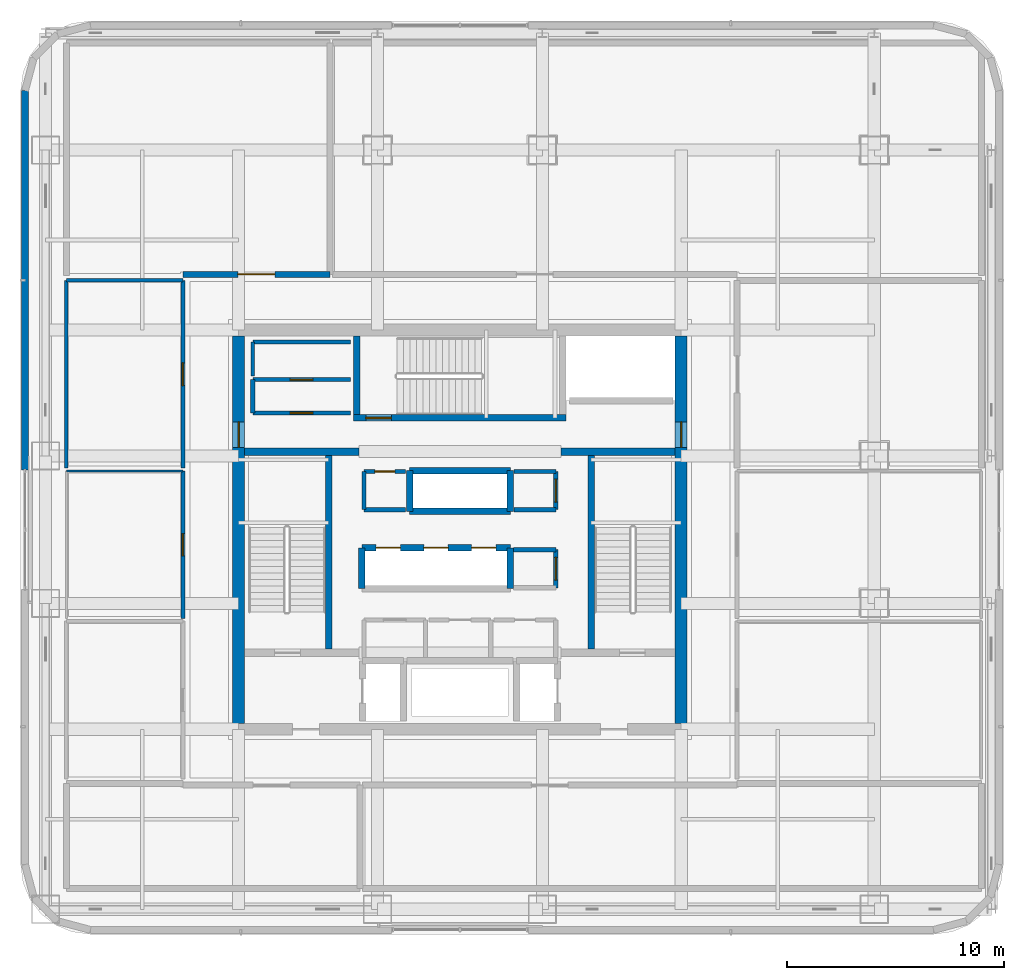
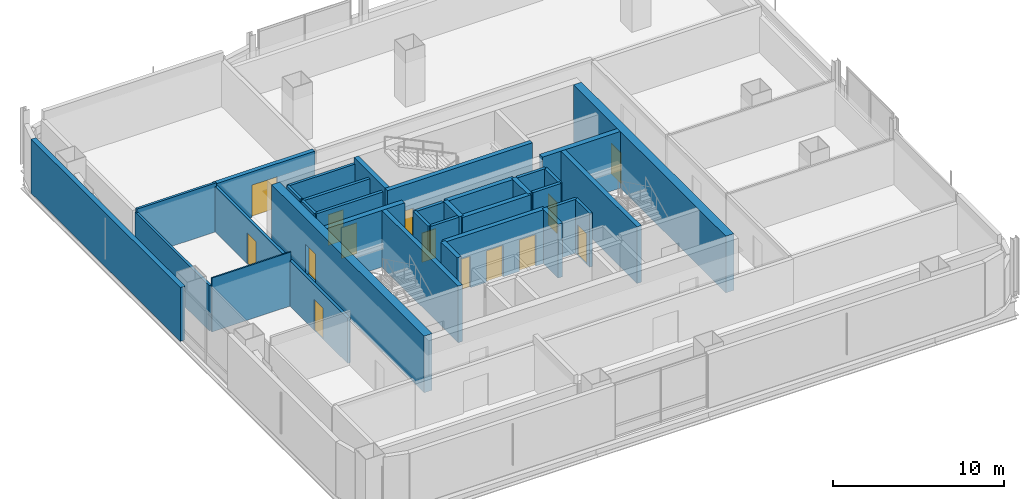
# One storey, part 17 of 30: 35 walls, 14 doors, 14 openings.
"""IFC4 building model written with IfcOpenShell, lengths in metres."""

from ifc_helpers import new_model, si_unit, direction, frame, frame_2d, origin, place, context, subcontext, project, spatial, rectangle, extrude, material, layer, layer_set, type_object, element, fill, save


model = new_model("IFC4")

# Units and contexts
model_context = context("Model", 3, precision=1e-05, world=origin(), true_north=direction((0.0, 1.0)))
body_context = subcontext(model_context, "Body", "Model", "MODEL_VIEW")
ifc_project = project(units=[si_unit("LENGTHUNIT", "METRE"), si_unit("AREAUNIT", "SQUARE_METRE"), si_unit("VOLUMEUNIT", "CUBIC_METRE"), si_unit("PLANEANGLEUNIT", "RADIAN"), si_unit("MASSUNIT", "GRAM", prefix="KILO")], contexts=[model_context])

# Site, building, storey
site_placement = place(None, origin())
site = spatial("IfcSite", under=ifc_project, at=site_placement, CompositionType="ELEMENT")
building_placement = place(site_placement, origin())
building = spatial("IfcBuilding", under=site, at=building_placement, Name="Punatoya Terracotta Tower", CompositionType="ELEMENT")
storey_placement = place(building_placement, frame((0.0, 0.0, 251.39990234375)))
storey = spatial("IfcBuildingStorey", under=building, at=storey_placement, Name="L59", CompositionType="ELEMENT", Elevation=251.39990234375)

# Wall, opening, door
ifc_material_1 = material(Name="Concrete C40/50", Category="concrete")
ifc_layer_1 = layer(ifc_material_1, 0.280029296875)
ifc_layer_set_1 = layer_set([ifc_layer_1], Name="Concrete C40/50")
wall_type_1 = type_object("IfcWallType", Name="WL-AUD-280", PredefinedType="SOLIDWALL", material=ifc_layer_set_1)
wall_1_placement = place(storey_placement, frame((-5.993896484375, 11.77001953125, 0.0), z_axis=(0.0, 0.0, 1.0), x_axis=(-1.0, 0.0, 0.0)))
wall_1 = element("IfcWall", 1, at=wall_1_placement, inside=storey, type_object=wall_type_1, Name="L59 Terrace Refreshment Lounge Partition 51", PredefinedType="SOLIDWALL", context=body_context, shape_type="SweptSolid", body=[
    extrude(rectangle(XDim=6.776123046875, YDim=0.280029296875, at=frame_2d((3.38818359375, 0.0))), origin(), (0.0, 0.0, 1.0), 3.244140625),
])
opening_1_placement = place(wall_1_placement, frame((2.5380859375, 0.0, 0.0)))
opening_1 = element("IfcOpeningElement", 2, at=opening_1_placement, cuts=wall_1, Name="Opening FD-D1", PredefinedType="OPENING", context=body_context, shape_type="SweptSolid", body=[
    extrude(rectangle(XDim=1.699951171875, YDim=2.300048828125, at=frame_2d((0.85009765625, 1.14990234375))), frame((0.0, 0.14990234375, 0.0), z_axis=(0.0, -1.0, 0.0), x_axis=(1.0, 0.0, 0.0)), (0.0, 0.0, 1.0), 0.300048828125),
])
ifc_material_2 = material(Name="Timber Teak Veneer Fire Leaf", Category="wood")
door_type_1 = type_object("IfcDoorType", Name="DR-DIN-1700", OperationType="NOTDEFINED", PredefinedType="DOOR", material=ifc_material_2)
door_1_placement = place(opening_1_placement, origin())
door_1 = element("IfcDoor", 3, at=door_1_placement, inside=storey, type_object=door_type_1, Name="L59 Terrace Refreshment Lounge Fire Door", OperationType="DOUBLE_DOOR_SINGLE_SWING", OverallHeight=2.300048828125, OverallWidth=1.699951171875, PredefinedType="DOOR", context=body_context, shape_type="SweptSolid", body=[
    extrude(rectangle(XDim=1.699951171875, YDim=2.300048828125, at=frame_2d((0.85009765625, 1.14990234375))), frame((0.0, 0.02490234375, 0.0), z_axis=(0.0, -1.0, 0.0), x_axis=(1.0, 0.0, 0.0)), (0.0, 0.0, 1.0), 0.050048828125),
])
fill(opening_1, door_1)

ifc_material_3 = material(Name="Concrete C50/60", Category="concrete")
ifc_layer_2 = layer(ifc_material_3, 0.550048828125)
ifc_layer_set_2 = layer_set([ifc_layer_2], Name="Concrete C50/60")
wall_type_2 = type_object("IfcWallType", Name="WL-COR-550", PredefinedType="SHEAR", material=ifc_layer_set_2)
wall_2_placement = place(storey_placement, frame((-10.199951171875, -8.925048828125, 0.0), z_axis=(0.0, 0.0, 1.0), x_axis=(0.0, 1.0, 0.0)))
wall_2 = element("IfcWall", 4, at=wall_2_placement, inside=storey, type_object=wall_type_2, Name="L59 Core Shear Wall W", PredefinedType="SHEAR", context=body_context, shape_type="SweptSolid", body=[
    extrude(rectangle(XDim=17.85009765625, YDim=0.550048828125, at=frame_2d((8.925048828125, 0.0))), origin(), (0.0, 0.0, 1.0), 4.050048828125),
])
opening_2_placement = place(wall_2_placement, frame((12.715087890625, 0.0, 0.0)))
opening_2 = element("IfcOpeningElement", 5, at=opening_2_placement, cuts=wall_2, Name="Opening SD-01", PredefinedType="OPENING", context=body_context, shape_type="SweptSolid", body=[
    extrude(rectangle(XDim=1.179931640625, YDim=2.199951171875, at=frame_2d((0.58984375, 1.10009765625))), frame((0.0, 0.284912109375, 0.0), z_axis=(0.0, -1.0, 0.0), x_axis=(1.0, 0.0, 0.0)), (0.0, 0.0, 1.0), 0.570068359375),
])
ifc_material_4 = material(Name="Galvanised Steel Pressurized Stair Fire Door", Category="steel")
door_type_2 = type_object("IfcDoorType", Name="DR-STR-1180", OperationType="NOTDEFINED", PredefinedType="DOOR", material=ifc_material_4)
door_2_placement = place(opening_2_placement, origin())
door_2 = element("IfcDoor", 6, at=door_2_placement, inside=storey, type_object=door_type_2, Name="L59 Central Lift Lobby West Fire Door", OperationType="SINGLE_SWING_LEFT", OverallHeight=2.199951171875, OverallWidth=1.179931640625, PredefinedType="DOOR", context=body_context, shape_type="SweptSolid", body=[
    extrude(rectangle(XDim=1.179931640625, YDim=2.199951171875, at=frame_2d((0.58984375, 1.10009765625))), frame((0.0, 0.02490234375, 0.0), z_axis=(0.0, -1.0, 0.0), x_axis=(1.0, 0.0, 0.0)), (0.0, 0.0, 1.0), 0.050048828125),
])
fill(opening_2, door_2)

wall_3_placement = place(storey_placement, frame((10.199951171875, 8.925048828125, 0.0), z_axis=(0.0, 0.0, 1.0), x_axis=(0.0, -1.0, 0.0)))
wall_3 = element("IfcWall", 7, at=wall_3_placement, inside=storey, type_object=wall_type_2, Name="L59 Core Shear Wall E", PredefinedType="SHEAR", context=body_context, shape_type="SweptSolid", body=[
    extrude(rectangle(XDim=17.85009765625, YDim=0.550048828125, at=frame_2d((8.925048828125, 0.0))), origin(), (0.0, 0.0, 1.0), 4.050048828125),
])
opening_3_placement = place(wall_3_placement, frame((3.955078125, 0.0, 0.0)))
opening_3 = element("IfcOpeningElement", 8, at=opening_3_placement, cuts=wall_3, Name="Opening SD-01", PredefinedType="OPENING", context=body_context, shape_type="SweptSolid", body=[
    extrude(rectangle(XDim=1.179931640625, YDim=2.199951171875, at=frame_2d((0.58984375, 1.10009765625))), frame((0.0, 0.284912109375, 0.0), z_axis=(0.0, -1.0, 0.0), x_axis=(1.0, 0.0, 0.0)), (0.0, 0.0, 1.0), 0.570068359375),
])
door_3_placement = place(opening_3_placement, origin())
door_3 = element("IfcDoor", 9, at=door_3_placement, inside=storey, type_object=door_type_2, Name="L59 Central Lift Lobby East Fire Door", OperationType="SINGLE_SWING_RIGHT", OverallHeight=2.199951171875, OverallWidth=1.179931640625, PredefinedType="DOOR", context=body_context, shape_type="SweptSolid", body=[
    extrude(rectangle(XDim=1.179931640625, YDim=2.199951171875, at=frame_2d((0.58984375, 1.10009765625))), frame((0.0, 0.02490234375, 0.0), z_axis=(0.0, -1.0, 0.0), x_axis=(1.0, 0.0, 0.0)), (0.0, 0.0, 1.0), 0.050048828125),
])
fill(opening_3, door_3)

# Walls
ifc_material_5 = material(Name="Gypsum Fireboard + Steel Stud", Category="steel")
ifc_layer_3 = layer(ifc_material_5, 0.179931640625)
ifc_layer_set_3 = layer_set([ifc_layer_3], Name="Gypsum Fireboard + Steel Stud")
wall_type_3 = type_object("IfcWallType", Name="WL-CORR-180", PredefinedType="PARTITIONING", material=ifc_layer_set_3)
wall_4_placement = place(storey_placement, frame((-5.050048828125, 8.64990234375, 0.0), z_axis=(0.0, 0.0, 1.0), x_axis=(-1.0, 0.0, 0.0)))
element("IfcWall", 10, at=wall_4_placement, inside=storey, type_object=wall_type_3, Name="L59 West Core Copy Room Partition 20", PredefinedType="PARTITIONING", context=body_context, shape_type="SweptSolid", body=[
    extrude(rectangle(XDim=4.5, YDim=0.179931640625, at=frame_2d((2.25, 0.0))), origin(), (0.0, 0.0, 1.0), 3.85009765625),
])
wall_5_placement = place(storey_placement, frame((-9.550048828125, 8.64990234375, 0.0), z_axis=(0.0, 0.0, 1.0), x_axis=(0.0, -1.0, 0.0)))
element("IfcWall", 11, at=wall_5_placement, inside=storey, type_object=wall_type_3, Name="L59 West Core Copy Room Partition 21", PredefinedType="PARTITIONING", context=body_context, shape_type="SweptSolid", body=[
    extrude(rectangle(XDim=1.56982421875, YDim=0.179931640625, at=frame_2d((0.784912109375, 0.0))), origin(), (0.0, 0.0, 1.0), 3.85009765625),
])

# Wall, opening, door
wall_6_placement = place(storey_placement, frame((-12.77001953125, 2.7119140625, 0.0), z_axis=(0.0, 0.0, 1.0), x_axis=(0.0, -1.0, 0.0)))
wall_6 = element("IfcWall", 12, at=wall_6_placement, inside=storey, type_object=wall_type_3, Name="L59 Private Dining Boardroom Partition 38", PredefinedType="PARTITIONING", context=body_context, shape_type="SweptSolid", body=[
    extrude(rectangle(XDim=6.809814453125, YDim=0.179931640625, at=frame_2d((3.40478515625, 0.0))), origin(), (0.0, 0.0, 1.0), 3.244140625),
])
opening_4_placement = place(wall_6_placement, frame((2.89501953125, 0.0, 0.0)))
opening_4 = element("IfcOpeningElement", 13, at=opening_4_placement, cuts=wall_6, Name="Opening MD-01", PredefinedType="OPENING", context=body_context, shape_type="SweptSolid", body=[
    extrude(rectangle(XDim=1.02001953125, YDim=2.199951171875, at=frame_2d((0.510009765625, 1.10009765625))), frame((0.0, 0.099853515625, 0.0), z_axis=(0.0, -1.0, 0.0), x_axis=(1.0, 0.0, 0.0)), (0.0, 0.0, 1.0), 0.199951171875),
])
ifc_material_6 = material(Name="Aluminium + Acoustic Glass Leaf", Category="aluminium")
door_type_3 = type_object("IfcDoorType", Name="DR-MTG-1020", OperationType="NOTDEFINED", PredefinedType="DOOR", material=ifc_material_6)
door_4_placement = place(opening_4_placement, origin())
door_4 = element("IfcDoor", 14, at=door_4_placement, inside=storey, type_object=door_type_3, Name="L59 Private Dining Boardroom Door", OperationType="SINGLE_SWING_RIGHT", OverallHeight=2.199951171875, OverallWidth=1.02001953125, PredefinedType="DOOR", context=body_context, shape_type="SweptSolid", body=[
    extrude(rectangle(XDim=1.02001953125, YDim=2.199951171875, at=frame_2d((0.510009765625, 1.10009765625))), frame((0.0, 0.02490234375, 0.0), z_axis=(0.0, -1.0, 0.0), x_axis=(1.0, 0.0, 0.0)), (0.0, 0.0, 1.0), 0.050048828125),
])
fill(opening_4, door_4)

wall_7_placement = place(storey_placement, frame((-12.77001953125, 11.489990234375, 0.0), z_axis=(0.0, 0.0, 1.0), x_axis=(0.0, -1.0, 0.0)))
wall_7 = element("IfcWall", 15, at=wall_7_placement, inside=storey, type_object=wall_type_3, Name="L59 Barista Espresso Pantry Partition 44", PredefinedType="PARTITIONING", context=body_context, shape_type="SweptSolid", body=[
    extrude(rectangle(XDim=8.657958984375, YDim=0.179931640625, at=frame_2d((4.3291015625, 0.0))), origin(), (0.0, 0.0, 1.0), 3.244140625),
])
opening_5_placement = place(wall_7_placement, frame((3.803955078125, 0.0, 0.0)))
opening_5 = element("IfcOpeningElement", 16, at=opening_5_placement, cuts=wall_7, Name="Opening OD-01", PredefinedType="OPENING", context=body_context, shape_type="SweptSolid", body=[
    extrude(rectangle(XDim=1.050048828125, YDim=2.199951171875, at=frame_2d((0.52490234375, 1.10009765625))), frame((0.0, 0.099853515625, 0.0), z_axis=(0.0, -1.0, 0.0), x_axis=(1.0, 0.0, 0.0)), (0.0, 0.0, 1.0), 0.199951171875),
])
ifc_material_7 = material(Name="Bengal Teak Solid-Core Leaf")
door_type_4 = type_object("IfcDoorType", Name="DR-OFF-1050", OperationType="NOTDEFINED", PredefinedType="DOOR", material=ifc_material_7)
door_5_placement = place(opening_5_placement, origin())
door_5 = element("IfcDoor", 17, at=door_5_placement, inside=storey, type_object=door_type_4, Name="L59 Barista Espresso Pantry Door", OperationType="SINGLE_SWING_RIGHT", OverallHeight=2.199951171875, OverallWidth=1.050048828125, PredefinedType="DOOR", context=body_context, shape_type="SweptSolid", body=[
    extrude(rectangle(XDim=1.050048828125, YDim=2.199951171875, at=frame_2d((0.52490234375, 1.10009765625))), frame((0.0, 0.02490234375, 0.0), z_axis=(0.0, -1.0, 0.0), x_axis=(1.0, 0.0, 0.0)), (0.0, 0.0, 1.0), 0.050048828125),
])
fill(opening_5, door_5)

# Walls
ifc_material_8 = material(Name="Precast concrete C40/50", Category="concrete")
ifc_layer_4 = layer(ifc_material_8, 0.320068359375)
ifc_layer_set_4 = layer_set([ifc_layer_4], Name="Precast concrete C40/50")
wall_type_4 = type_object("IfcWallType", Name="WL-EXT-320", PredefinedType="SOLIDWALL", material=ifc_layer_set_4)
wall_8_placement = place(storey_placement, frame((-20.050048828125, 20.23681640625, 0.0), z_axis=(0.0, 0.0, 1.0), x_axis=(0.0, -1.0, 0.0)))
element("IfcWall", 18, at=wall_8_placement, inside=storey, type_object=wall_type_4, Name="L59 Terracotta Braced Facade Wall W1", PredefinedType="SOLIDWALL", context=body_context, shape_type="SweptSolid", body=[
    extrude(rectangle(XDim=17.48681640625, YDim=0.320068359375, at=frame_2d((8.743408203125, 0.0))), origin(), (0.0, 0.0, 1.0), 3.85009765625),
])
ifc_material_9 = material(Name="Aluminium Framed Acoustic Glass Partition", Category="aluminium")
ifc_layer_5 = layer(ifc_material_9, 0.10009765625)
ifc_layer_set_5 = layer_set([ifc_layer_5], Name="Aluminium Framed Acoustic Glass Partition")
wall_type_5 = type_object("IfcWallType", Name="WL-GLZ-100", PredefinedType="PARTITIONING", material=ifc_layer_set_5)
wall_9_placement = place(storey_placement, frame((-18.139892578125, 2.7119140625, 0.0), z_axis=(0.0, 0.0, 1.0), x_axis=(1.0, 0.0, 0.0)))
element("IfcWall", 19, at=wall_9_placement, inside=storey, type_object=wall_type_5, Name="L59 Private Dining Boardroom Partition 37", PredefinedType="PARTITIONING", context=body_context, shape_type="SweptSolid", body=[
    extrude(rectangle(XDim=5.369873046875, YDim=0.10009765625, at=frame_2d((2.68505859375, 0.0))), origin(), (0.0, 0.0, 1.0), 3.85009765625),
])

# Wall, opening, door
ifc_layer_6 = layer(ifc_material_1, 0.199951171875)
ifc_layer_set_6 = layer_set([ifc_layer_6], Name="Concrete C40/50")
wall_type_6 = type_object("IfcWallType", Name="WL-INT-200", PredefinedType="SOLIDWALL", material=ifc_layer_set_6)
wall_10_placement = place(storey_placement, frame((4.419921875, -2.679931640625, 0.0), z_axis=(0.0, 0.0, 1.0), x_axis=(0.0, 1.0, 0.0)))
wall_10 = element("IfcWall", 20, at=wall_10_placement, inside=storey, type_object=wall_type_6, Name="L59 East Core Tea Pantry Partition 08", PredefinedType="SOLIDWALL", context=body_context, shape_type="SweptSolid", body=[
    extrude(rectangle(XDim=1.760009765625, YDim=0.199951171875, at=frame_2d((0.8798828125, 0.0))), origin(), (0.0, 0.0, 1.0), 3.85009765625),
])
opening_6_placement = place(wall_10_placement, frame((0.35498046875, 0.0, 0.0)))
opening_6 = element("IfcOpeningElement", 21, at=opening_6_placement, cuts=wall_10, Name="Opening OD-01", PredefinedType="OPENING", context=body_context, shape_type="SweptSolid", body=[
    extrude(rectangle(XDim=1.050048828125, YDim=2.199951171875, at=frame_2d((0.52490234375, 1.10009765625))), frame((0.0, 0.10986328125, 0.0), z_axis=(0.0, -1.0, 0.0), x_axis=(1.0, 0.0, 0.0)), (0.0, 0.0, 1.0), 0.219970703125),
])
door_6_placement = place(opening_6_placement, origin())
door_6 = element("IfcDoor", 22, at=door_6_placement, inside=storey, type_object=door_type_4, Name="L59 East Tea Pantry Door", OperationType="SINGLE_SWING_LEFT", OverallHeight=2.199951171875, OverallWidth=1.050048828125, PredefinedType="DOOR", context=body_context, shape_type="SweptSolid", body=[
    extrude(rectangle(XDim=1.050048828125, YDim=2.199951171875, at=frame_2d((0.52490234375, 1.10009765625))), frame((0.0, 0.02490234375, 0.0), z_axis=(0.0, -1.0, 0.0), x_axis=(1.0, 0.0, 0.0)), (0.0, 0.0, 1.0), 0.050048828125),
])
fill(opening_6, door_6)

# Wall
wall_11_placement = place(storey_placement, frame((4.419921875, -0.919921875, 0.0), z_axis=(0.0, 0.0, 1.0), x_axis=(-1.0, 0.0, 0.0)))
element("IfcWall", 23, at=wall_11_placement, inside=storey, type_object=wall_type_6, Name="L59 East Core Tea Pantry Partition 09", PredefinedType="SOLIDWALL", context=body_context, shape_type="SweptSolid", body=[
    extrude(rectangle(XDim=1.93994140625, YDim=0.199951171875, at=frame_2d((0.969970703125, 0.0))), origin(), (0.0, 0.0, 1.0), 3.85009765625),
])

# Wall, opening, door
wall_12_placement = place(storey_placement, frame((-2.5, 2.679931640625, 0.0), z_axis=(0.0, 0.0, 1.0), x_axis=(-1.0, 0.0, 0.0)))
wall_12 = element("IfcWall", 24, at=wall_12_placement, inside=storey, type_object=wall_type_6, Name="L59 Core Security Equipment Closet Partition 11", PredefinedType="SOLIDWALL", context=body_context, shape_type="SweptSolid", body=[
    extrude(rectangle(XDim=1.919921875, YDim=0.199951171875, at=frame_2d((0.9599609375, 0.0))), origin(), (0.0, 0.0, 1.0), 3.85009765625),
])
opening_7_placement = place(wall_12_placement, frame((0.5, 0.0, 0.0)))
opening_7 = element("IfcOpeningElement", 25, at=opening_7_placement, cuts=wall_12, Name="Opening FD-R1", PredefinedType="OPENING", context=body_context, shape_type="SweptSolid", body=[
    extrude(rectangle(XDim=0.919921875, YDim=2.10009765625, at=frame_2d((0.4599609375, 1.050048828125))), frame((0.0, 0.10986328125, 0.0), z_axis=(0.0, -1.0, 0.0), x_axis=(1.0, 0.0, 0.0)), (0.0, 0.0, 1.0), 0.219970703125),
])
ifc_material_10 = material(Name="Galvanised Steel Riser Fire Access Door", Category="steel")
door_type_5 = type_object("IfcDoorType", Name="DR-RSR-920", OperationType="NOTDEFINED", PredefinedType="DOOR", material=ifc_material_10)
door_7_placement = place(opening_7_placement, origin())
door_7 = element("IfcDoor", 26, at=door_7_placement, inside=storey, type_object=door_type_5, Name="L59 Core Security Equipment Closet Fire Door", OperationType="SINGLE_SWING_RIGHT", OverallHeight=2.10009765625, OverallWidth=0.919921875, PredefinedType="DOOR", context=body_context, shape_type="SweptSolid", body=[
    extrude(rectangle(XDim=0.919921875, YDim=2.10009765625, at=frame_2d((0.4599609375, 1.050048828125))), frame((0.0, 0.02490234375, 0.0), z_axis=(0.0, -1.0, 0.0), x_axis=(1.0, 0.0, 0.0)), (0.0, 0.0, 1.0), 0.050048828125),
])
fill(opening_7, door_7)

# Walls
wall_13_placement = place(storey_placement, frame((-4.419921875, 2.679931640625, 0.0), z_axis=(0.0, 0.0, 1.0), x_axis=(0.0, -1.0, 0.0)))
element("IfcWall", 27, at=wall_13_placement, inside=storey, type_object=wall_type_6, Name="L59 Core Security Equipment Closet Partition 12", PredefinedType="SOLIDWALL", context=body_context, shape_type="SweptSolid", body=[
    extrude(rectangle(XDim=1.760009765625, YDim=0.199951171875, at=frame_2d((0.8798828125, 0.0))), origin(), (0.0, 0.0, 1.0), 3.85009765625),
])
wall_14_placement = place(storey_placement, frame((-4.419921875, 0.919921875, 0.0), z_axis=(0.0, 0.0, 1.0), x_axis=(1.0, 0.0, 0.0)))
element("IfcWall", 28, at=wall_14_placement, inside=storey, type_object=wall_type_6, Name="L59 Core Security Equipment Closet Partition 13", PredefinedType="SOLIDWALL", context=body_context, shape_type="SweptSolid", body=[
    extrude(rectangle(XDim=1.919921875, YDim=0.199951171875, at=frame_2d((0.9599609375, 0.0))), origin(), (0.0, 0.0, 1.0), 3.85009765625),
])

# Wall, opening, door
wall_15_placement = place(storey_placement, frame((4.419921875, 0.919921875, 0.0), z_axis=(0.0, 0.0, 1.0), x_axis=(0.0, 1.0, 0.0)))
wall_15 = element("IfcWall", 29, at=wall_15_placement, inside=storey, type_object=wall_type_6, Name="L59 Executive Steward Pantry Partition 14", PredefinedType="SOLIDWALL", context=body_context, shape_type="SweptSolid", body=[
    extrude(rectangle(XDim=1.760009765625, YDim=0.199951171875, at=frame_2d((0.8798828125, 0.0))), origin(), (0.0, 0.0, 1.0), 3.85009765625),
])
opening_8_placement = place(wall_15_placement, frame((0.35498046875, 0.0, 0.0)))
opening_8 = element("IfcOpeningElement", 30, at=opening_8_placement, cuts=wall_15, Name="Opening OD-01", PredefinedType="OPENING", context=body_context, shape_type="SweptSolid", body=[
    extrude(rectangle(XDim=1.050048828125, YDim=2.199951171875, at=frame_2d((0.52490234375, 1.10009765625))), frame((0.0, 0.10986328125, 0.0), z_axis=(0.0, -1.0, 0.0), x_axis=(1.0, 0.0, 0.0)), (0.0, 0.0, 1.0), 0.219970703125),
])
door_8_placement = place(opening_8_placement, origin())
door_8 = element("IfcDoor", 31, at=door_8_placement, inside=storey, type_object=door_type_4, Name="L59 Executive Steward Pantry Door", OperationType="SINGLE_SWING_LEFT", OverallHeight=2.199951171875, OverallWidth=1.050048828125, PredefinedType="DOOR", context=body_context, shape_type="SweptSolid", body=[
    extrude(rectangle(XDim=1.050048828125, YDim=2.199951171875, at=frame_2d((0.52490234375, 1.10009765625))), frame((0.0, 0.02490234375, 0.0), z_axis=(0.0, -1.0, 0.0), x_axis=(1.0, 0.0, 0.0)), (0.0, 0.0, 1.0), 0.050048828125),
])
fill(opening_8, door_8)

# Walls
for number, where, z_axis, x_axis, name in (
    (32, (4.419921875, 2.679931640625, 0.0), (0.0, 0.0, 1.0), (-1.0, 0.0, 0.0), "L59 Executive Steward Pantry Partition 15"),
    (33, (2.5, 0.919921875, 0.0), (0.0, 0.0, 1.0), (1.0, 0.0, 0.0), "L59 Executive Steward Pantry Partition 16"),
):
    element("IfcWall", number, at=place(storey_placement, frame(where, z_axis=z_axis, x_axis=x_axis)), inside=storey, type_object=wall_type_6, Name=name, PredefinedType="SOLIDWALL", context=body_context, shape_type="SweptSolid", body=[
        extrude(rectangle(XDim=1.919921875, YDim=0.199951171875, at=frame_2d((0.9599609375, 0.0))), origin(), (0.0, 0.0, 1.0), 3.85009765625),
    ])

# Wall, opening, door
wall_16_placement = place(storey_placement, frame((-5.050048828125, 6.919921875, 0.0), z_axis=(0.0, 0.0, 1.0), x_axis=(-1.0, 0.0, 0.0)))
wall_16 = element("IfcWall", 34, at=wall_16_placement, inside=storey, type_object=wall_type_6, Name="L59 West Core Tea Pantry Partition 17", PredefinedType="SOLIDWALL", context=body_context, shape_type="SweptSolid", body=[
    extrude(rectangle(XDim=4.5, YDim=0.199951171875, at=frame_2d((2.25, 0.0))), origin(), (0.0, 0.0, 1.0), 3.85009765625),
])
opening_9_placement = place(wall_16_placement, frame((1.72509765625, 0.0, 0.0)))
opening_9 = element("IfcOpeningElement", 35, at=opening_9_placement, cuts=wall_16, Name="Opening OD-01", PredefinedType="OPENING", context=body_context, shape_type="SweptSolid", body=[
    extrude(rectangle(XDim=1.050048828125, YDim=2.199951171875, at=frame_2d((0.52490234375, 1.10009765625))), frame((0.0, 0.10986328125, 0.0), z_axis=(0.0, -1.0, 0.0), x_axis=(1.0, 0.0, 0.0)), (0.0, 0.0, 1.0), 0.219970703125),
])
door_9_placement = place(opening_9_placement, origin())
door_9 = element("IfcDoor", 36, at=door_9_placement, inside=storey, type_object=door_type_4, Name="L59 West Copy Room Door", OperationType="SINGLE_SWING_LEFT", OverallHeight=2.199951171875, OverallWidth=1.050048828125, PredefinedType="DOOR", context=body_context, shape_type="SweptSolid", body=[
    extrude(rectangle(XDim=1.050048828125, YDim=2.199951171875, at=frame_2d((0.52490234375, 1.10009765625))), frame((0.0, 0.02490234375, 0.0), z_axis=(0.0, -1.0, 0.0), x_axis=(1.0, 0.0, 0.0)), (0.0, 0.0, 1.0), 0.050048828125),
])
fill(opening_9, door_9)

# Wall
wall_17_placement = place(storey_placement, frame((-9.550048828125, 6.919921875, 0.0), z_axis=(0.0, 0.0, 1.0), x_axis=(0.0, -1.0, 0.0)))
element("IfcWall", 37, at=wall_17_placement, inside=storey, type_object=wall_type_6, Name="L59 West Core Tea Pantry Partition 18", PredefinedType="SOLIDWALL", context=body_context, shape_type="SweptSolid", body=[
    extrude(rectangle(XDim=1.5400390625, YDim=0.199951171875, at=frame_2d((0.77001953125, 0.0))), origin(), (0.0, 0.0, 1.0), 3.85009765625),
])

# Wall, opening, door
wall_18_placement = place(storey_placement, frame((-9.550048828125, 5.3798828125, 0.0), z_axis=(0.0, 0.0, 1.0), x_axis=(1.0, 0.0, 0.0)))
wall_18 = element("IfcWall", 38, at=wall_18_placement, inside=storey, type_object=wall_type_6, Name="L59 West Core Tea Pantry Partition 19", PredefinedType="SOLIDWALL", context=body_context, shape_type="SweptSolid", body=[
    extrude(rectangle(XDim=4.5, YDim=0.199951171875, at=frame_2d((2.25, 0.0))), origin(), (0.0, 0.0, 1.0), 3.85009765625),
])
opening_10_placement = place(wall_18_placement, frame((1.72509765625, 0.0, 0.0)))
opening_10 = element("IfcOpeningElement", 39, at=opening_10_placement, cuts=wall_18, Name="Opening OD-01", PredefinedType="OPENING", context=body_context, shape_type="SweptSolid", body=[
    extrude(rectangle(XDim=1.050048828125, YDim=2.199951171875, at=frame_2d((0.52490234375, 1.10009765625))), frame((0.0, 0.10986328125, 0.0), z_axis=(0.0, -1.0, 0.0), x_axis=(1.0, 0.0, 0.0)), (0.0, 0.0, 1.0), 0.219970703125),
])
door_10_placement = place(opening_10_placement, origin())
door_10 = element("IfcDoor", 40, at=door_10_placement, inside=storey, type_object=door_type_4, Name="L59 West Tea Pantry Door", OperationType="SINGLE_SWING_RIGHT", OverallHeight=2.199951171875, OverallWidth=1.050048828125, PredefinedType="DOOR", context=body_context, shape_type="SweptSolid", body=[
    extrude(rectangle(XDim=1.050048828125, YDim=2.199951171875, at=frame_2d((0.52490234375, 1.10009765625))), frame((0.0, 0.02490234375, 0.0), z_axis=(0.0, -1.0, 0.0), x_axis=(1.0, 0.0, 0.0)), (0.0, 0.0, 1.0), 0.050048828125),
])
fill(opening_10, door_10)

# Walls
ifc_layer_7 = layer(ifc_material_1, 0.300048828125)
ifc_layer_set_7 = layer_set([ifc_layer_7], Name="Concrete C40/50")
wall_type_7 = type_object("IfcWallType", Name="WL-SHF-300", PredefinedType="SOLIDWALL", material=ifc_layer_set_7)
for number, where, z_axis, x_axis, name in (
    (41, (-6.050048828125, -5.5, 0.0), (0.0, 0.0, 1.0), (0.0, 1.0, 0.0), "L59 Structural Stair Shaft Wall SW-ST1-E"),
    (42, (6.050048828125, 3.449951171875, 0.0), (0.0, 0.0, 1.0), (0.0, -1.0, 0.0), "L59 Structural Stair Shaft Wall SW-ST2-W"),
):
    element("IfcWall", number, at=place(storey_placement, frame(where, z_axis=z_axis, x_axis=x_axis)), inside=storey, type_object=wall_type_7, Name=name, PredefinedType="SOLIDWALL", context=body_context, shape_type="SweptSolid", body=[
        extrude(rectangle(XDim=8.949951171875, YDim=0.300048828125, at=frame_2d((4.47509765625, 0.0))), origin(), (0.0, 0.0, 1.0), 4.050048828125),
    ])
wall_19_placement = place(storey_placement, frame((-4.75, 5.300048828125, 0.0), z_axis=(0.0, 0.0, 1.0), x_axis=(0.0, 1.0, 0.0)))
element("IfcWall", 43, at=wall_19_placement, inside=storey, type_object=wall_type_7, Name="L59 Structural Stair Shaft Wall SW-ST3-W", PredefinedType="SOLIDWALL", context=body_context, shape_type="SweptSolid", body=[
    extrude(rectangle(XDim=3.625, YDim=0.300048828125, at=frame_2d((1.8125, 0.0))), origin(), (0.0, 0.0, 1.0), 4.050048828125),
])

# Wall, opening, door
wall_20_placement = place(storey_placement, frame((-4.89990234375, 5.14990234375, 0.0), z_axis=(0.0, 0.0, 1.0), x_axis=(1.0, 0.0, 0.0)))
wall_20 = element("IfcWall", 44, at=wall_20_placement, inside=storey, type_object=wall_type_7, Name="L59 Structural Stair Shaft Wall SW-ST3-S", PredefinedType="SOLIDWALL", context=body_context, shape_type="SweptSolid", body=[
    extrude(rectangle(XDim=9.7998046875, YDim=0.300048828125, at=frame_2d((4.89990234375, 0.0))), origin(), (0.0, 0.0, 1.0), 4.050048828125),
])
opening_11_placement = place(wall_20_placement, frame((0.56005859375, 0.0, 0.0)))
opening_11 = element("IfcOpeningElement", 45, at=opening_11_placement, cuts=wall_20, Name="Opening SD-01", PredefinedType="OPENING", context=body_context, shape_type="SweptSolid", body=[
    extrude(rectangle(XDim=1.179931640625, YDim=2.199951171875, at=frame_2d((0.58984375, 1.10009765625))), frame((0.0, 0.159912109375, 0.0), z_axis=(0.0, -1.0, 0.0), x_axis=(1.0, 0.0, 0.0)), (0.0, 0.0, 1.0), 0.320068359375),
])
door_11_placement = place(opening_11_placement, origin())
door_11 = element("IfcDoor", 46, at=door_11_placement, inside=storey, type_object=door_type_2, Name="L59 Stair ST-3 Core Lobby Fire Door", OperationType="SINGLE_SWING_LEFT", OverallHeight=2.199951171875, OverallWidth=1.179931640625, PredefinedType="DOOR", context=body_context, shape_type="SweptSolid", body=[
    extrude(rectangle(XDim=1.179931640625, YDim=2.199951171875, at=frame_2d((0.58984375, 1.10009765625))), frame((0.0, 0.02490234375, 0.0), z_axis=(0.0, -1.0, 0.0), x_axis=(1.0, 0.0, 0.0)), (0.0, 0.0, 1.0), 0.050048828125),
])
fill(opening_11, door_11)

# Wall, openings, doors
wall_21_placement = place(storey_placement, frame((-4.52001953125, -0.840087890625, 0.0), z_axis=(0.0, 0.0, 1.0), x_axis=(1.0, 0.0, 0.0)))
wall_21 = element("IfcWall", 47, at=wall_21_placement, inside=storey, type_object=wall_type_7, Name="L59 South Lift Bank Front Shaft Wall", PredefinedType="SOLIDWALL", context=body_context, shape_type="SweptSolid", body=[
    extrude(rectangle(XDim=6.840087890625, YDim=0.300048828125, at=frame_2d((3.419921875, 0.0))), origin(), (0.0, 0.0, 1.0), 3.85009765625),
])
opening_12_placement = place(wall_21_placement, frame((0.659912109375, 0.0, 0.0)))
opening_12 = element("IfcOpeningElement", 48, at=opening_12_placement, cuts=wall_21, Name="Opening LD-02", PredefinedType="OPENING", context=body_context, shape_type="SweptSolid", body=[
    extrude(rectangle(XDim=1.1201171875, YDim=2.25, at=frame_2d((0.56005859375, 1.125))), frame((0.0, 0.159912109375, 0.0), z_axis=(0.0, -1.0, 0.0), x_axis=(1.0, 0.0, 0.0)), (0.0, 0.0, 1.0), 0.320068359375),
])
opening_13_placement = place(wall_21_placement, frame((2.860107421875, 0.0, 0.0)))
opening_13 = element("IfcOpeningElement", 49, at=opening_13_placement, cuts=wall_21, Name="Opening LD-02", PredefinedType="OPENING", context=body_context, shape_type="SweptSolid", body=[
    extrude(rectangle(XDim=1.1201171875, YDim=2.25, at=frame_2d((0.56005859375, 1.125))), frame((0.0, 0.159912109375, 0.0), z_axis=(0.0, -1.0, 0.0), x_axis=(1.0, 0.0, 0.0)), (0.0, 0.0, 1.0), 0.320068359375),
])
opening_14_placement = place(wall_21_placement, frame((5.06005859375, 0.0, 0.0)))
opening_14 = element("IfcOpeningElement", 50, at=opening_14_placement, cuts=wall_21, Name="Opening LD-02", PredefinedType="OPENING", context=body_context, shape_type="SweptSolid", body=[
    extrude(rectangle(XDim=1.1201171875, YDim=2.25, at=frame_2d((0.56005859375, 1.125))), frame((0.0, 0.159912109375, 0.0), z_axis=(0.0, -1.0, 0.0), x_axis=(1.0, 0.0, 0.0)), (0.0, 0.0, 1.0), 0.320068359375),
])
ifc_material_11 = material(Name="Stainless Steel Lift Landing Door", Category="steel")
door_type_6 = type_object("IfcDoorType", Name="DR-LND-1120", OperationType="NOTDEFINED", PredefinedType="DOOR", material=ifc_material_11)
door_12_placement = place(opening_12_placement, origin())
door_12 = element("IfcDoor", 51, at=door_12_placement, inside=storey, type_object=door_type_6, Name="L59 Lift PL-H1 Sliding Landing Door", OperationType="DOUBLE_DOOR_SLIDING", OverallHeight=2.25, OverallWidth=1.1201171875, PredefinedType="DOOR", context=body_context, shape_type="SweptSolid", body=[
    extrude(rectangle(XDim=1.1201171875, YDim=2.25, at=frame_2d((0.56005859375, 1.125))), frame((0.0, 0.02490234375, 0.0), z_axis=(0.0, -1.0, 0.0), x_axis=(1.0, 0.0, 0.0)), (0.0, 0.0, 1.0), 0.050048828125),
])
fill(opening_12, door_12)
door_13_placement = place(opening_13_placement, origin())
door_13 = element("IfcDoor", 52, at=door_13_placement, inside=storey, type_object=door_type_6, Name="L59 Lift PL-H2 Sliding Landing Door", OperationType="DOUBLE_DOOR_SLIDING", OverallHeight=2.25, OverallWidth=1.1201171875, PredefinedType="DOOR", context=body_context, shape_type="SweptSolid", body=[
    extrude(rectangle(XDim=1.1201171875, YDim=2.25, at=frame_2d((0.56005859375, 1.125))), frame((0.0, 0.02490234375, 0.0), z_axis=(0.0, -1.0, 0.0), x_axis=(1.0, 0.0, 0.0)), (0.0, 0.0, 1.0), 0.050048828125),
])
fill(opening_13, door_13)
door_14_placement = place(opening_14_placement, origin())
door_14 = element("IfcDoor", 53, at=door_14_placement, inside=storey, type_object=door_type_6, Name="L59 Lift PL-H3 Sliding Landing Door", OperationType="DOUBLE_DOOR_SLIDING", OverallHeight=2.25, OverallWidth=1.1201171875, PredefinedType="DOOR", context=body_context, shape_type="SweptSolid", body=[
    extrude(rectangle(XDim=1.1201171875, YDim=2.25, at=frame_2d((0.56005859375, 1.125))), frame((0.0, 0.02490234375, 0.0), z_axis=(0.0, -1.0, 0.0), x_axis=(1.0, 0.0, 0.0)), (0.0, 0.0, 1.0), 0.050048828125),
])
fill(opening_14, door_14)

# Walls
for number, where, z_axis, x_axis, name in (
    (54, (-4.52001953125, -2.719970703125, 0.0), (0.0, 0.0, 1.0), (0.0, 1.0, 0.0), "L59 South Lift Bank West End Wall"),
    (55, (2.320068359375, -2.719970703125, 0.0), (0.0, 0.0, 1.0), (0.0, 1.0, 0.0), "L59 South Lift Bank East End Wall"),
):
    element("IfcWall", number, at=place(storey_placement, frame(where, z_axis=z_axis, x_axis=x_axis)), inside=storey, type_object=wall_type_7, Name=name, PredefinedType="SOLIDWALL", context=body_context, shape_type="SweptSolid", body=[
        extrude(rectangle(XDim=1.8798828125, YDim=0.300048828125, at=frame_2d((0.93994140625, 0.0))), origin(), (0.0, 0.0, 1.0), 3.85009765625),
    ])
for number, where, z_axis, x_axis, name in (
    (56, (-2.320068359375, 0.840087890625, 0.0), (0.0, 0.0, 1.0), (1.0, 0.0, 0.0), "L59 North Lift Bank Front Shaft Wall"),
    (57, (-2.320068359375, 2.719970703125, 0.0), (0.0, 0.0, 1.0), (1.0, 0.0, 0.0), "L59 North Lift Bank Rear Shaft Wall"),
):
    element("IfcWall", number, at=place(storey_placement, frame(where, z_axis=z_axis, x_axis=x_axis)), inside=storey, type_object=wall_type_7, Name=name, PredefinedType="SOLIDWALL", context=body_context, shape_type="SweptSolid", body=[
        extrude(rectangle(XDim=4.64013671875, YDim=0.300048828125, at=frame_2d((2.320068359375, 0.0))), origin(), (0.0, 0.0, 1.0), 3.85009765625),
    ])
for number, where, z_axis, x_axis, name in (
    (58, (-2.320068359375, 0.840087890625, 0.0), (0.0, 0.0, 1.0), (0.0, 1.0, 0.0), "L59 North Lift Bank West End Wall"),
    (59, (2.320068359375, 0.840087890625, 0.0), (0.0, 0.0, 1.0), (0.0, 1.0, 0.0), "L59 North Lift Bank East End Wall"),
):
    element("IfcWall", number, at=place(storey_placement, frame(where, z_axis=z_axis, x_axis=x_axis)), inside=storey, type_object=wall_type_7, Name=name, PredefinedType="SOLIDWALL", context=body_context, shape_type="SweptSolid", body=[
        extrude(rectangle(XDim=1.8798828125, YDim=0.300048828125, at=frame_2d((0.93994140625, 0.0))), origin(), (0.0, 0.0, 1.0), 3.85009765625),
    ])
ifc_layer_8 = layer(ifc_material_3, 0.35009765625)
ifc_layer_set_8 = layer_set([ifc_layer_8], Name="Concrete C50/60")
wall_type_8 = type_object("IfcWallType", Name="WL-SHF-350", PredefinedType="SOLIDWALL", material=ifc_layer_set_8)
for number, where, z_axis, x_axis, name in (
    (60, (-9.925048828125, 3.60009765625, 0.0), (0.0, 0.0, 1.0), (1.0, 0.0, 0.0), "L59 Core Web Wall CNW-L"),
    (61, (4.64990234375, 3.60009765625, 0.0), (0.0, 0.0, 1.0), (1.0, 0.0, 0.0), "L59 Core Web Wall CNW-R"),
):
    element("IfcWall", number, at=place(storey_placement, frame(where, z_axis=z_axis, x_axis=x_axis)), inside=storey, type_object=wall_type_8, Name=name, PredefinedType="SOLIDWALL", context=body_context, shape_type="SweptSolid", body=[
        extrude(rectangle(XDim=5.275146484375, YDim=0.35009765625, at=frame_2d((2.6376953125, 0.0))), origin(), (0.0, 0.0, 1.0), 4.050048828125),
    ])
ifc_material_12 = material(Name="Masonry Blockwork + Ceramic Tile", Category="masonry")
ifc_layer_9 = layer(ifc_material_12, 0.159912109375)
ifc_layer_set_9 = layer_set([ifc_layer_9], Name="Masonry Blockwork + Ceramic Tile")
wall_type_9 = type_object("IfcWallType", Name="WL-WET-160", PredefinedType="PARTITIONING", material=ifc_layer_set_9)
wall_22_placement = place(storey_placement, frame((-18.139892578125, 11.489990234375, 0.0), z_axis=(0.0, 0.0, 1.0), x_axis=(1.0, 0.0, 0.0)))
element("IfcWall", 62, at=wall_22_placement, inside=storey, type_object=wall_type_9, Name="L59 Barista Espresso Pantry Partition 43", PredefinedType="PARTITIONING", context=body_context, shape_type="SweptSolid", body=[
    extrude(rectangle(XDim=5.369873046875, YDim=0.159912109375, at=frame_2d((2.68505859375, 0.0))), origin(), (0.0, 0.0, 1.0), 3.484130859375),
])
wall_23_placement = place(storey_placement, frame((-18.139892578125, 2.83203125, 0.0), z_axis=(0.0, 0.0, 1.0), x_axis=(0.0, 1.0, 0.0)))
element("IfcWall", 63, at=wall_23_placement, inside=storey, type_object=wall_type_9, Name="L59 Barista Espresso Pantry Partition 45", PredefinedType="PARTITIONING", context=body_context, shape_type="SweptSolid", body=[
    extrude(rectangle(XDim=8.657958984375, YDim=0.159912109375, at=frame_2d((4.3291015625, 0.0))), origin(), (0.0, 0.0, 1.0), 3.244140625),
])

save(model, "model.ifc")
